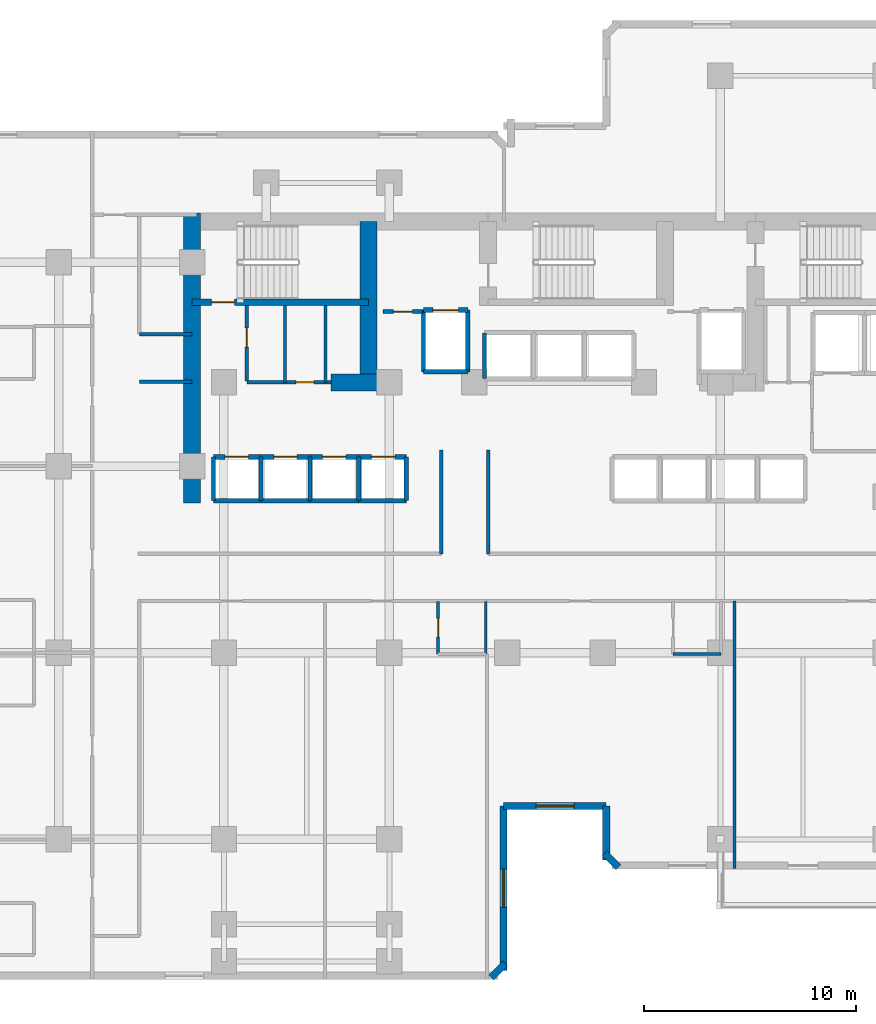
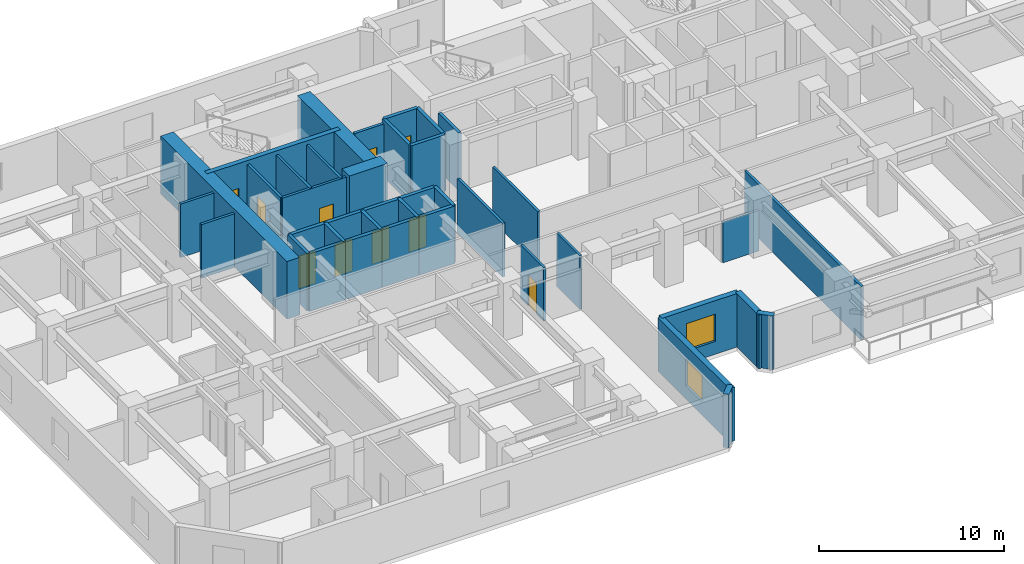
# One storey, part 6 of 11: 40 walls, 10 doors, 2 windows, 12 openings.
"""IFC4 building model written with IfcOpenShell, lengths in metres."""

import ifcopenshell
import ifcopenshell.guid

model = None  # the IFC model being written
_history = None  # IfcOwnerHistory: only IFC2X3 demands one
_inside = {}  # id of a spatial element -> (the spatial element, [elements in it])
_under = {}  # id of a project, library or spatial element -> (it, [spatial elements below it])
_declared = {}  # id of a project -> (the project, [libraries it declares])
_typed = {}  # id of a type object -> (the type object, [elements of that type])
_made_of = {}  # id of a material, layer set ... -> (it, [elements and type objects made of it])


def new_model(schema):
    """Start an empty IFC model of exactly this schema.

    Asked for "IFC4X3", IfcOpenShell would pick the latest addendum, in which some entities
    have other attributes; the version numbers below select the first issue.
    IFC2X3 requires an IfcOwnerHistory on every rooted entity: one is made here for all.
    """
    global model, _history
    if schema == "IFC4X3":
        model = ifcopenshell.file(schema_version=(4, 3, 0, 0))
    else:
        model = ifcopenshell.file(schema=schema)
    _inside.clear()
    _under.clear()
    _declared.clear()
    _typed.clear()
    _made_of.clear()
    _history = None
    if model.schema == "IFC2X3":
        org = make("IfcOrganization", Name="unknown")
        user = make(
            "IfcPersonAndOrganization",
            ThePerson=make("IfcPerson", FamilyName="unknown"),
            TheOrganization=org,
        )
        app = make(
            "IfcApplication",
            ApplicationDeveloper=org,
            Version="unknown",
            ApplicationFullName="unknown",
            ApplicationIdentifier="unknown",
        )
        _history = make(
            "IfcOwnerHistory",
            OwningUser=user,
            OwningApplication=app,
            ChangeAction="ADDED",
            CreationDate=0,
        )
    return model


def make(cls, **values):
    """One entity of the class cls with the attributes given. An attribute that is None is left unset."""
    return model.create_entity(
        cls, **{name: value for name, value in values.items() if value is not None}
    )


def rooted(cls, **values):
    """An entity with a GlobalId (a new one), such as an element, a storey or a relation."""
    return make(cls, GlobalId=ifcopenshell.guid.new(), OwnerHistory=_history, **values)


def si_unit(unit_type, name, prefix=None):
    """IfcSIUnit, for example si_unit("LENGTHUNIT", "METRE", prefix="MILLI")."""
    return make("IfcSIUnit", UnitType=unit_type, Prefix=prefix, Name=name)


def assignment(units):
    """IfcUnitAssignment: the units of a project."""
    return None if units is None else make("IfcUnitAssignment", Units=units)


def point(xyz):
    """IfcCartesianPoint."""
    return None if xyz is None else make("IfcCartesianPoint", Coordinates=xyz)


def direction(xyz):
    """IfcDirection."""
    return None if xyz is None else make("IfcDirection", DirectionRatios=xyz)


def frame(location, z_axis=None, x_axis=None):
    """IfcAxis2Placement3D, a coordinate frame: its origin and axes. An axis left out is left unset."""
    return make(
        "IfcAxis2Placement3D",
        Location=point(location),
        Axis=direction(z_axis),
        RefDirection=direction(x_axis),
    )


def frame_2d(location, x_axis=None):
    """IfcAxis2Placement2D, a coordinate frame in the plane: its origin and x axis."""
    return make(
        "IfcAxis2Placement2D", Location=point(location), RefDirection=direction(x_axis)
    )


def origin():
    """The frame at (0, 0, 0) with its axes left unset."""
    return frame((0.0, 0.0, 0.0))


def place(relative_to, where):
    """IfcLocalPlacement: puts the frame where relative to a parent placement (None: the world)."""
    return make(
        "IfcLocalPlacement", PlacementRelTo=relative_to, RelativePlacement=where
    )


def context(
    kind, dimensions, precision=None, world=None, true_north=None, identifier=None
):
    """IfcGeometricRepresentationContext, for example the 3D "Model" context."""
    return make(
        "IfcGeometricRepresentationContext",
        ContextIdentifier=identifier,
        ContextType=kind,
        CoordinateSpaceDimension=dimensions,
        Precision=precision,
        WorldCoordinateSystem=world,
        TrueNorth=true_north,
    )


def subcontext(parent, identifier, kind, view, scale=None):
    """IfcGeometricRepresentationSubContext, for example "Body" below "Model"."""
    return make(
        "IfcGeometricRepresentationSubContext",
        ContextIdentifier=identifier,
        ContextType=kind,
        ParentContext=parent,
        TargetScale=scale,
        TargetView=view,
    )


def project(units=None, contexts=None):
    """IfcProject with its units and contexts."""
    return rooted(
        "IfcProject",
        Name="project",
        RepresentationContexts=contexts,
        UnitsInContext=assignment(units),
    )


def spatial(cls, under=None, at=None, **own):
    """A site, building, storey or space (cls), placed at a placement, below another one or the project."""
    s = rooted(cls, ObjectPlacement=at, **own)
    if under is not None:
        _under.setdefault(under.id(), (under, []))[1].append(s)
    return s


def profile(cls, at=None, kind="AREA", **sizes):
    """A parametric profile (cls). Its sizes go by their IFC names, for example OverallWidth=200.0."""
    return make(cls, ProfileType=kind, Position=at, **sizes)


def rectangle(**sizes):
    """IfcRectangleProfileDef."""
    return profile("IfcRectangleProfileDef", **sizes)


def extrude(swept, where, along, depth):
    """IfcExtrudedAreaSolid: the profile swept, set in the frame where, extruded along a direction by depth."""
    return make(
        "IfcExtrudedAreaSolid",
        SweptArea=swept,
        Position=where,
        ExtrudedDirection=direction(along),
        Depth=depth,
    )


def shape(context_of_items, identifier, shape_type, items):
    """IfcShapeRepresentation: the items that make up one representation, for example the "Body"."""
    return make(
        "IfcShapeRepresentation",
        ContextOfItems=context_of_items,
        RepresentationIdentifier=identifier,
        RepresentationType=shape_type,
        Items=items,
    )


def material(Name=None, Category=None):
    """IfcMaterial."""
    return make("IfcMaterial", Name=Name, Category=Category)


def layer(
    of_material, thickness, ventilated=None, Name=None, Category=None, Priority=None
):
    """IfcMaterialLayer: one layer of a wall or slab, of a material (None: an air gap)."""
    return make(
        "IfcMaterialLayer",
        Material=of_material,
        LayerThickness=thickness,
        IsVentilated=ventilated,
        Name=Name,
        Category=Category,
        Priority=Priority,
    )


def layer_set(layers, Name=None):
    """IfcMaterialLayerSet."""
    return make("IfcMaterialLayerSet", MaterialLayers=layers, LayerSetName=Name)


def made_of(thing, what):
    """Note that an element or type object is made of a material, layer set ...; save() writes the relation."""
    if what is not None:
        _made_of.setdefault(what.id(), (what, []))[1].append(thing)
    return thing


def type_object(cls, material=None, **own):
    """A type object (cls), such as IfcWallType, which elements share."""
    return made_of(rooted(cls, **own), material)


def element(
    cls,
    number,
    at=None,
    inside=None,
    cuts=None,
    type_object=None,
    material=None,
    context=None,
    identifier="Body",
    shape_type=None,
    held_by="IfcProductDefinitionShape",
    body=None,
    shapes=None,
    **own,
):
    """One element of the class cls, such as IfcWall. Its Tag is "e" and its number.

    at: its placement. inside: the storey or other place that contains it. cuts: it is an
    opening in that element (IfcRelVoidsElement). A single representation is given by context,
    identifier, shape_type and body (its items); several are given by shapes. held_by: the class
    of the entity that holds the representations. save() writes the other relations.
    """
    e = rooted(cls, Tag="e%d" % number, ObjectPlacement=at, **own)
    if body is not None:
        shapes = [shape(context, identifier, shape_type, body)]
    if shapes is not None:
        e.Representation = make(held_by, Representations=shapes)
    if inside is not None:
        _inside.setdefault(inside.id(), (inside, []))[1].append(e)
    if cuts is not None:
        rooted(
            "IfcRelVoidsElement", RelatingBuildingElement=cuts, RelatedOpeningElement=e
        )
    if type_object is not None:
        _typed.setdefault(type_object.id(), (type_object, []))[1].append(e)
    return made_of(e, material)


def fill(opening, filler):
    """IfcRelFillsElement: the door or window that sits in an opening."""
    return rooted(
        "IfcRelFillsElement",
        RelatingOpeningElement=opening,
        RelatedBuildingElement=filler,
    )


def aggregate(whole, parts):
    """IfcRelAggregates: a whole, such as a stair, and the parts it consists of."""
    return rooted("IfcRelAggregates", RelatingObject=whole, RelatedObjects=parts)


def save(model, path):
    """Write the relations noted so far, then the file.

    IfcRelAggregates (storeys below a building ...), IfcRelContainedInSpatialStructure (elements
    in a storey), IfcRelDefinesByType, IfcRelAssociatesMaterial and IfcRelDeclares: one each for
    every whole, place, type object, material and project.
    """
    for whole, parts in _under.values():
        aggregate(whole, parts)
    for where, things in _inside.values():
        rooted(
            "IfcRelContainedInSpatialStructure",
            RelatedElements=things,
            RelatingStructure=where,
        )
    for kind, things in _typed.values():
        rooted("IfcRelDefinesByType", RelatedObjects=things, RelatingType=kind)
    for what, things in _made_of.values():
        rooted("IfcRelAssociatesMaterial", RelatedObjects=things, RelatingMaterial=what)
    for by, libraries in _declared.values():
        rooted("IfcRelDeclares", RelatingContext=by, RelatedDefinitions=libraries)
    model.write(path)


model = new_model("IFC4")

# Units and contexts
model_context = context("Model", 3, precision=1e-05, world=origin(), true_north=direction((0.0, 1.0)))
body_context = subcontext(model_context, "Body", "Model", "MODEL_VIEW")
ifc_project = project(units=[si_unit("LENGTHUNIT", "METRE"), si_unit("AREAUNIT", "SQUARE_METRE"), si_unit("VOLUMEUNIT", "CUBIC_METRE"), si_unit("PLANEANGLEUNIT", "RADIAN"), si_unit("MASSUNIT", "GRAM", prefix="KILO")], contexts=[model_context])

# Site, building, storey
site_placement = place(None, origin())
site = spatial("IfcSite", under=ifc_project, at=site_placement, CompositionType="ELEMENT")
building_placement = place(site_placement, origin())
building = spatial("IfcBuilding", under=site, at=building_placement, Name="Kestravale Grand Hotel", CompositionType="ELEMENT")
storey_placement = place(building_placement, frame((0.0, 0.0, 107.0)))
storey = spatial("IfcBuildingStorey", under=building, at=storey_placement, Name="L26", CompositionType="ELEMENT", Elevation=107.0)

# Walls
ifc_material_1 = material(Name="Concrete f'c 60 MPa", Category="concrete")
ifc_layer_1 = layer(ifc_material_1, 0.800048828125)
ifc_layer_set_1 = layer_set([ifc_layer_1], Name="EW-CORE-800")
wall_type_1 = type_object("IfcWallType", Name="EW-CORE-800", PredefinedType="SHEAR", material=ifc_layer_set_1)
wall_1_placement = place(storey_placement, frame((21.89990234375, 27.050048828125, 0.0), z_axis=(0.0, 0.0, 1.0), x_axis=(0.0, 1.0, 0.0)))
element("IfcWall", 1, at=wall_1_placement, inside=storey, type_object=wall_type_1, Name="L26 core shear wall W1", PredefinedType="SHEAR", context=body_context, shape_type="SweptSolid", body=[
    extrude(rectangle(XDim=13.669921875, YDim=0.800048828125, at=frame_2d((6.8349609375, 0.0))), origin(), (0.0, 0.0, 1.0), 3.800048828125),
])
wall_2_placement = place(storey_placement, frame((28.449951171875, 32.75, 0.0), z_axis=(0.0, 0.0, 1.0), x_axis=(1.0, 0.0, 0.0)))
element("IfcWall", 2, at=wall_2_placement, inside=storey, type_object=wall_type_1, Name="L26 core shear wall S1", PredefinedType="SHEAR", context=body_context, shape_type="SweptSolid", body=[
    extrude(rectangle(XDim=2.400146484375, YDim=0.800048828125, at=frame_2d((1.2001953125, 0.0))), origin(), (0.0, 0.0, 1.0), 3.800048828125),
])
wall_3_placement = place(storey_placement, frame((30.219970703125, 33.14990234375, 0.0), z_axis=(0.0, 0.0, 1.0), x_axis=(0.0, 1.0, 0.0)))
element("IfcWall", 3, at=wall_3_placement, inside=storey, type_object=wall_type_1, Name="L26 core shear wall X1", PredefinedType="SHEAR", context=body_context, shape_type="SweptSolid", body=[
    extrude(rectangle(XDim=7.170166015625, YDim=0.800048828125, at=frame_2d((3.5849609375, 0.0))), origin(), (0.0, 0.0, 1.0), 3.800048828125),
])
ifc_material_2 = material(Name="Precast concrete f'c 45 MPa", Category="concrete")
ifc_layer_2 = layer(ifc_material_2, 0.340087890625)
ifc_layer_set_2 = layer_set([ifc_layer_2], Name="EW-PREC-340")
wall_type_2 = type_object("IfcWallType", Name="EW-PREC-340", PredefinedType="SOLIDWALL", material=ifc_layer_set_2)
wall_4_placement = place(storey_placement, frame((36.00146484375, 4.69189453125, 0.0), z_axis=(0.0, 0.0, 1.0), x_axis=(0.707238225886, 0.706975312048, 0.0)))
element("IfcWall", 4, at=wall_4_placement, inside=storey, type_object=wall_type_2, Name="L26 fluted precast facade wall 2", PredefinedType="SOLIDWALL", context=body_context, shape_type="SweptSolid", body=[
    extrude(rectangle(XDim=0.9287109375, YDim=0.340087890625, at=frame_2d((0.46435546875, 0.0))), origin(), (0.0, 0.0, 1.0), 3.5400390625),
])

# Wall, opening, window
wall_5_placement = place(storey_placement, frame((36.580078125, 5.030029296875, 0.0), z_axis=(0.0, 0.0, 1.0), x_axis=(0.0, 1.0, 0.0)))
wall_5 = element("IfcWall", 5, at=wall_5_placement, inside=storey, type_object=wall_type_2, Name="L26 fluted precast facade wall 3", PredefinedType="SOLIDWALL", context=body_context, shape_type="SweptSolid", body=[
    extrude(rectangle(XDim=7.739990234375, YDim=0.340087890625, at=frame_2d((3.8701171875, 0.0))), origin(), (0.0, 0.0, 1.0), 3.5400390625),
])
opening_1_placement = place(wall_5_placement, frame((2.969970703125, 0.0, 0.85009765625)))
opening_1 = element("IfcOpeningElement", 6, at=opening_1_placement, cuts=wall_5, Name="Opening W-GUEST-1800", PredefinedType="OPENING", context=body_context, shape_type="SweptSolid", body=[
    extrude(rectangle(XDim=1.800048828125, YDim=1.800048828125, at=frame_2d((0.89990234375, 0.89990234375))), frame((0.0, 0.179931640625, 0.0), z_axis=(0.0, -1.0, 0.0), x_axis=(1.0, 0.0, 0.0)), (0.0, 0.0, 1.0), 0.360107421875),
])
ifc_material_3 = material(Name="Insulated low-E double glazing in aluminium frame", Category="aluminium")
window_type = type_object("IfcWindowType", Name="W-GUEST-1800", PartitioningType="DOUBLE_PANEL_VERTICAL", PredefinedType="WINDOW", material=ifc_material_3)
window_1_placement = place(opening_1_placement, origin())
window_1 = element("IfcWindow", 7, at=window_1_placement, inside=storey, type_object=window_type, Name="L26 exterior window 3.1", OverallHeight=1.800048828125, OverallWidth=1.800048828125, PartitioningType="SINGLE_PANEL", PredefinedType="WINDOW", context=body_context, shape_type="SweptSolid", body=[
    extrude(rectangle(XDim=1.800048828125, YDim=1.800048828125, at=frame_2d((0.89990234375, 0.89990234375))), frame((0.0, 0.030029296875, 0.0), z_axis=(0.0, -1.0, 0.0), x_axis=(1.0, 0.0, 0.0)), (0.0, 0.0, 1.0), 0.06005859375),
])
fill(opening_1, window_1)

wall_6_placement = place(storey_placement, frame((36.580078125, 12.77001953125, 0.0), z_axis=(0.0, 0.0, 1.0), x_axis=(1.0, 0.0, 0.0)))
wall_6 = element("IfcWall", 8, at=wall_6_placement, inside=storey, type_object=wall_type_2, Name="L26 fluted precast facade wall 4", PredefinedType="SOLIDWALL", context=body_context, shape_type="SweptSolid", body=[
    extrude(rectangle(XDim=4.83984375, YDim=0.340087890625, at=frame_2d((2.419921875, 0.0))), origin(), (0.0, 0.0, 1.0), 3.5400390625),
])
opening_2_placement = place(wall_6_placement, frame((1.52001953125, 0.0, 0.85009765625)))
opening_2 = element("IfcOpeningElement", 9, at=opening_2_placement, cuts=wall_6, Name="Opening W-GUEST-1800", PredefinedType="OPENING", context=body_context, shape_type="SweptSolid", body=[
    extrude(rectangle(XDim=1.800048828125, YDim=1.800048828125, at=frame_2d((0.89990234375, 0.89990234375))), frame((0.0, 0.179931640625, 0.0), z_axis=(0.0, -1.0, 0.0), x_axis=(1.0, 0.0, 0.0)), (0.0, 0.0, 1.0), 0.360107421875),
])
window_2_placement = place(opening_2_placement, origin())
window_2 = element("IfcWindow", 10, at=window_2_placement, inside=storey, type_object=window_type, Name="L26 exterior window 4.1", OverallHeight=1.800048828125, OverallWidth=1.800048828125, PartitioningType="SINGLE_PANEL", PredefinedType="WINDOW", context=body_context, shape_type="SweptSolid", body=[
    extrude(rectangle(XDim=1.800048828125, YDim=1.800048828125, at=frame_2d((0.89990234375, 0.89990234375))), frame((0.0, 0.030029296875, 0.0), z_axis=(0.0, -1.0, 0.0), x_axis=(1.0, 0.0, 0.0)), (0.0, 0.0, 1.0), 0.06005859375),
])
fill(opening_2, window_2)

# Walls
wall_7_placement = place(storey_placement, frame((41.419921875, 12.77001953125, 0.0), z_axis=(0.0, 0.0, 1.0), x_axis=(0.0, -1.0, 0.0)))
element("IfcWall", 11, at=wall_7_placement, inside=storey, type_object=wall_type_2, Name="L26 fluted precast facade wall 5", PredefinedType="SOLIDWALL", context=body_context, shape_type="SweptSolid", body=[
    extrude(rectangle(XDim=2.5400390625, YDim=0.340087890625, at=frame_2d((1.27001953125, 0.0))), origin(), (0.0, 0.0, 1.0), 3.5400390625),
])
wall_8_placement = place(storey_placement, frame((41.341796875, 10.548583984375, 0.0), z_axis=(0.0, 0.0, 1.0), x_axis=(0.707106781187, -0.707106781187, 0.0)))
element("IfcWall", 12, at=wall_8_placement, inside=storey, type_object=wall_type_2, Name="L26 fluted precast facade wall 6", PredefinedType="SOLIDWALL", context=body_context, shape_type="SweptSolid", body=[
    extrude(rectangle(XDim=0.9287109375, YDim=0.340087890625, at=frame_2d((0.46435546875, 0.0))), origin(), (0.0, 0.0, 1.0), 3.5400390625),
])

# Wall, opening, door
ifc_material_4 = material(Name="Concrete f'c 45 MPa", Category="concrete")
ifc_layer_3 = layer(ifc_material_4, 0.300048828125)
ifc_layer_set_3 = layer_set([ifc_layer_3], Name="EW-STAIR-300")
wall_type_3 = type_object("IfcWallType", Name="EW-STAIR-300", PredefinedType="SHEAR", material=ifc_layer_set_3)
wall_9_placement = place(storey_placement, frame((21.89990234375, 36.52001953125, 0.0), z_axis=(0.0, 0.0, 1.0), x_axis=(1.0, 0.0, 0.0)))
wall_9 = element("IfcWall", 13, at=wall_9_placement, inside=storey, type_object=wall_type_3, Name="L26 stair enclosure shear wall SST1", PredefinedType="SHEAR", context=body_context, shape_type="SweptSolid", body=[
    extrude(rectangle(XDim=8.320068359375, YDim=0.300048828125, at=frame_2d((4.16015625, 0.0))), origin(), (0.0, 0.0, 1.0), 3.800048828125),
])
opening_3_placement = place(wall_9_placement, frame((0.89990234375, 0.0, 0.0)))
opening_3 = element("IfcOpeningElement", 14, at=opening_3_placement, cuts=wall_9, Name="Opening D-ST-1100", PredefinedType="OPENING", context=body_context, shape_type="SweptSolid", body=[
    extrude(rectangle(XDim=1.10009765625, YDim=2.14990234375, at=frame_2d((0.550048828125, 1.074951171875))), frame((0.0, 0.159912109375, 0.0), z_axis=(0.0, -1.0, 0.0), x_axis=(1.0, 0.0, 0.0)), (0.0, 0.0, 1.0), 0.320068359375),
])
ifc_material_5 = material(Name="Galvanised 90-minute fire-rated steel stair door", Category="steel")
door_type_1 = type_object("IfcDoorType", Name="D-ST-1100", OperationType="NOTDEFINED", PredefinedType="DOOR", material=ifc_material_5)
door_1_placement = place(opening_3_placement, origin())
door_1 = element("IfcDoor", 15, at=door_1_placement, inside=storey, type_object=door_type_1, Name="L26 Stair ST-1 fire door", OperationType="SINGLE_SWING_RIGHT", OverallHeight=2.14990234375, OverallWidth=1.10009765625, PredefinedType="DOOR", context=body_context, shape_type="SweptSolid", body=[
    extrude(rectangle(XDim=1.10009765625, YDim=2.14990234375, at=frame_2d((0.550048828125, 1.074951171875))), frame((0.0, 0.02490234375, 0.0), z_axis=(0.0, -1.0, 0.0), x_axis=(1.0, 0.0, 0.0)), (0.0, 0.0, 1.0), 0.050048828125),
])
fill(opening_3, door_1)

ifc_material_6 = material(Name="Acoustic fire-rated gypsum board partition", Category="other")
ifc_layer_4 = layer(ifc_material_6, 0.159912109375)
ifc_layer_set_4 = layer_set([ifc_layer_4], Name="IW-CORR-160")
wall_type_4 = type_object("IfcWallType", Name="IW-CORR-160", PredefinedType="PARTITIONING", material=ifc_layer_set_4)
wall_10_placement = place(storey_placement, frame((24.47998046875, 32.800048828125, 0.0), z_axis=(0.0, 0.0, 1.0), x_axis=(0.0, 1.0, 0.0)))
wall_10 = element("IfcWall", 16, at=wall_10_placement, inside=storey, type_object=wall_type_4, Name="L26 west core vestibule wall", PredefinedType="PARTITIONING", context=body_context, shape_type="SweptSolid", body=[
    extrude(rectangle(XDim=3.570068359375, YDim=0.159912109375, at=frame_2d((1.78515625, 0.0))), origin(), (0.0, 0.0, 1.0), 3.5400390625),
])
opening_4_placement = place(wall_10_placement, frame((1.603515625, 0.0, 0.0)))
opening_4 = element("IfcOpeningElement", 17, at=opening_4_placement, cuts=wall_10, Name="Opening D-SH-900", PredefinedType="OPENING", context=body_context, shape_type="SweptSolid", body=[
    extrude(rectangle(XDim=0.89990234375, YDim=2.10009765625, at=frame_2d((0.449951171875, 1.050048828125))), frame((0.0, 0.08984375, 0.0), z_axis=(0.0, -1.0, 0.0), x_axis=(1.0, 0.0, 0.0)), (0.0, 0.0, 1.0), 0.179931640625),
])
ifc_material_7 = material(Name="Galvanised 90-minute shaft and service fire door", Category="steel")
door_type_2 = type_object("IfcDoorType", Name="D-SH-900", OperationType="NOTDEFINED", PredefinedType="DOOR", material=ifc_material_7)
door_2_placement = place(opening_4_placement, origin())
door_2 = element("IfcDoor", 18, at=door_2_placement, inside=storey, type_object=door_type_2, Name="D-L26-HK", OperationType="SINGLE_SWING_RIGHT", OverallHeight=2.10009765625, OverallWidth=0.89990234375, PredefinedType="DOOR", context=body_context, shape_type="SweptSolid", body=[
    extrude(rectangle(XDim=0.89990234375, YDim=2.10009765625, at=frame_2d((0.449951171875, 1.050048828125))), frame((0.0, 0.02490234375, 0.0), z_axis=(0.0, -1.0, 0.0), x_axis=(1.0, 0.0, 0.0)), (0.0, 0.0, 1.0), 0.050048828125),
])
fill(opening_4, door_2)

wall_11_placement = place(storey_placement, frame((24.47998046875, 32.75, 0.0), z_axis=(0.0, 0.0, 1.0), x_axis=(1.0, 0.0, 0.0)))
wall_11 = element("IfcWall", 19, at=wall_11_placement, inside=storey, type_object=wall_type_4, Name="W-L26-CWS", PredefinedType="PARTITIONING", context=body_context, shape_type="SweptSolid", body=[
    extrude(rectangle(XDim=3.969970703125, YDim=0.159912109375, at=frame_2d((1.98486328125, 0.0))), origin(), (0.0, 0.0, 1.0), 3.5400390625),
])
opening_5_placement = place(wall_11_placement, frame((2.31005859375, 0.0, 0.0)))
opening_5 = element("IfcOpeningElement", 20, at=opening_5_placement, cuts=wall_11, Name="Opening D-SH-860", PredefinedType="OPENING", context=body_context, shape_type="SweptSolid", body=[
    extrude(rectangle(XDim=0.860107421875, YDim=2.050048828125, at=frame_2d((0.43017578125, 1.02490234375))), frame((0.0, 0.08984375, 0.0), z_axis=(0.0, -1.0, 0.0), x_axis=(1.0, 0.0, 0.0)), (0.0, 0.0, 1.0), 0.179931640625),
])
ifc_material_8 = material(Name="Galvanised 90-minute riser fire door", Category="steel")
door_type_3 = type_object("IfcDoorType", Name="D-SH-860", OperationType="NOTDEFINED", PredefinedType="DOOR", material=ifc_material_8)
door_3_placement = place(opening_5_placement, origin())
door_3 = element("IfcDoor", 21, at=door_3_placement, inside=storey, type_object=door_type_3, Name="D-L26-IDF", OperationType="SINGLE_SWING_RIGHT", OverallHeight=2.050048828125, OverallWidth=0.860107421875, PredefinedType="DOOR", context=body_context, shape_type="SweptSolid", body=[
    extrude(rectangle(XDim=0.860107421875, YDim=2.050048828125, at=frame_2d((0.43017578125, 1.02490234375))), frame((0.0, 0.02490234375, 0.0), z_axis=(0.0, -1.0, 0.0), x_axis=(1.0, 0.0, 0.0)), (0.0, 0.0, 1.0), 0.050048828125),
])
fill(opening_5, door_3)

# Walls
for number, where, z_axis, x_axis, name in (
    (22, (33.64990234375, 24.659912109375, 0.0), (0.0, 0.0, 1.0), (0.0, 1.0, 0.0), "W-L26-TRUNK-W"),
    (23, (35.85009765625, 24.659912109375, 0.0), (0.0, 0.0, 1.0), (0.0, 1.0, 0.0), "W-L26-TRUNK-E"),
):
    element("IfcWall", number, at=place(storey_placement, frame(where, z_axis=z_axis, x_axis=x_axis)), inside=storey, type_object=wall_type_4, Name=name, PredefinedType="PARTITIONING", context=body_context, shape_type="SweptSolid", body=[
        extrude(rectangle(XDim=4.89013671875, YDim=0.159912109375, at=frame_2d((2.445068359375, 0.0))), origin(), (0.0, 0.0, 1.0), 3.5400390625),
    ])
for number, where, z_axis, x_axis, name in (
    (24, (19.409912109375, 35.02001953125, 0.0), (0.0, 0.0, 1.0), (1.0, 0.0, 0.0), "W-L26-SW-CN"),
    (25, (19.409912109375, 32.780029296875, 0.0), (0.0, 0.0, 1.0), (1.0, 0.0, 0.0), "W-L26-SW-CS"),
):
    element("IfcWall", number, at=place(storey_placement, frame(where, z_axis=z_axis, x_axis=x_axis)), inside=storey, type_object=wall_type_4, Name=name, PredefinedType="PARTITIONING", context=body_context, shape_type="SweptSolid", body=[
        extrude(rectangle(XDim=2.489990234375, YDim=0.159912109375, at=frame_2d((1.2451171875, 0.0))), origin(), (0.0, 0.0, 1.0), 3.5400390625),
    ])

# Wall, opening, door
ifc_material_9 = material(Name="Fire-rated gypsum board on steel studs with mineral wool", Category="steel")
ifc_layer_5 = layer(ifc_material_9, 0.179931640625)
ifc_layer_set_5 = layer_set([ifc_layer_5], Name="IW-FSAE-180")
wall_type_5 = type_object("IfcWallType", Name="IW-FSAE-180", PredefinedType="PARTITIONING", material=ifc_layer_set_5)
wall_12_placement = place(storey_placement, frame((30.89990234375, 36.080078125, 0.0), z_axis=(0.0, 0.0, 1.0), x_axis=(1.0, 0.0, 0.0)))
wall_12 = element("IfcWall", 26, at=wall_12_placement, inside=storey, type_object=wall_type_5, Name="L26 FSAE Lobby 1 smoke barrier", PredefinedType="PARTITIONING", context=body_context, shape_type="SweptSolid", body=[
    extrude(rectangle(XDim=1.85009765625, YDim=0.179931640625, at=frame_2d((0.925048828125, 0.0))), origin(), (0.0, 0.0, 1.0), 3.5400390625),
])
opening_6_placement = place(wall_12_placement, frame((0.47998046875, 0.0, 0.0)))
opening_6 = element("IfcOpeningElement", 27, at=opening_6_placement, cuts=wall_12, Name="Opening D-FSAE-1000", PredefinedType="OPENING", context=body_context, shape_type="SweptSolid", body=[
    extrude(rectangle(XDim=0.89990234375, YDim=2.14990234375, at=frame_2d((0.449951171875, 1.074951171875))), frame((0.0, 0.099853515625, 0.0), z_axis=(0.0, -1.0, 0.0), x_axis=(1.0, 0.0, 0.0)), (0.0, 0.0, 1.0), 0.199951171875),
])
ifc_material_10 = material(Name="Smoke-gasketed FSAE lobby fire door", Category="steel")
door_type_4 = type_object("IfcDoorType", Name="D-FSAE-1000", OperationType="NOTDEFINED", PredefinedType="DOOR", material=ifc_material_10)
door_4_placement = place(opening_6_placement, origin())
door_4 = element("IfcDoor", 28, at=door_4_placement, inside=storey, type_object=door_type_4, Name="L26 FSAE Lobby 1 fire door", OperationType="SINGLE_SWING_RIGHT", OverallHeight=2.14990234375, OverallWidth=0.89990234375, PredefinedType="DOOR", context=body_context, shape_type="SweptSolid", body=[
    extrude(rectangle(XDim=0.89990234375, YDim=2.14990234375, at=frame_2d((0.449951171875, 1.074951171875))), frame((0.0, 0.02490234375, 0.0), z_axis=(0.0, -1.0, 0.0), x_axis=(1.0, 0.0, 0.0)), (0.0, 0.0, 1.0), 0.050048828125),
])
fill(opening_6, door_4)

ifc_material_11 = material(Name="Moisture-resistant tile-backer plumbing chase wall", Category="other")
ifc_layer_6 = layer(ifc_material_11, 0.139892578125)
ifc_layer_set_6 = layer_set([ifc_layer_6], Name="IW-PLB-140")
wall_type_6 = type_object("IfcWallType", Name="IW-PLB-140", PredefinedType="PLUMBINGWALL", material=ifc_layer_set_6)
wall_13_placement = place(storey_placement, frame((33.489990234375, 19.929931640625, 0.0), z_axis=(0.0, 0.0, 1.0), x_axis=(0.0, 1.0, 0.0)))
wall_13 = element("IfcWall", 29, at=wall_13_placement, inside=storey, type_object=wall_type_6, Name="W-L26-U01-BW", PredefinedType="PLUMBINGWALL", context=body_context, shape_type="SweptSolid", body=[
    extrude(rectangle(XDim=2.489990234375, YDim=0.139892578125, at=frame_2d((1.2451171875, 0.0))), origin(), (0.0, 0.0, 1.0), 3.5400390625),
])
opening_7_placement = place(wall_13_placement, frame((0.804931640625, 0.0, 0.0)))
opening_7 = element("IfcOpeningElement", 30, at=opening_7_placement, cuts=wall_13, Name="Opening D-BATH-880", PredefinedType="OPENING", context=body_context, shape_type="SweptSolid", body=[
    extrude(rectangle(XDim=0.8798828125, YDim=2.050048828125, at=frame_2d((0.43994140625, 1.02490234375))), frame((0.0, 0.079833984375, 0.0), z_axis=(0.0, -1.0, 0.0), x_axis=(1.0, 0.0, 0.0)), (0.0, 0.0, 1.0), 0.159912109375),
])
ifc_material_12 = material(Name="Moisture-sealed walnut en-suite bathroom door", Category="wood")
door_type_5 = type_object("IfcDoorType", Name="D-BATH-880", OperationType="NOTDEFINED", PredefinedType="DOOR", material=ifc_material_12)
door_5_placement = place(opening_7_placement, origin())
door_5 = element("IfcDoor", 31, at=door_5_placement, inside=storey, type_object=door_type_5, Name="D-L26-U01-BATH", OperationType="SINGLE_SWING_RIGHT", OverallHeight=2.050048828125, OverallWidth=0.8798828125, PredefinedType="DOOR", context=body_context, shape_type="SweptSolid", body=[
    extrude(rectangle(XDim=0.8798828125, YDim=2.050048828125, at=frame_2d((0.43994140625, 1.02490234375))), frame((0.0, 0.02490234375, 0.0), z_axis=(0.0, -1.0, 0.0), x_axis=(1.0, 0.0, 0.0)), (0.0, 0.0, 1.0), 0.050048828125),
])
fill(opening_7, door_5)

# Walls
wall_14_placement = place(storey_placement, frame((35.739990234375, 19.929931640625, 0.0), z_axis=(0.0, 0.0, 1.0), x_axis=(0.0, 1.0, 0.0)))
element("IfcWall", 32, at=wall_14_placement, inside=storey, type_object=wall_type_6, Name="W-L26-U01-BE", PredefinedType="PLUMBINGWALL", context=body_context, shape_type="SweptSolid", body=[
    extrude(rectangle(XDim=2.489990234375, YDim=0.139892578125, at=frame_2d((1.2451171875, 0.0))), origin(), (0.0, 0.0, 1.0), 3.5400390625),
])
wall_15_placement = place(storey_placement, frame((44.570068359375, 19.929931640625, 0.0), z_axis=(0.0, 0.0, 1.0), x_axis=(1.0, 0.0, 0.0)))
element("IfcWall", 33, at=wall_15_placement, inside=storey, type_object=wall_type_6, Name="W-L26-U02-BS", PredefinedType="PLUMBINGWALL", context=body_context, shape_type="SweptSolid", body=[
    extrude(rectangle(XDim=2.25, YDim=0.139892578125, at=frame_2d((1.125, 0.0))), origin(), (0.0, 0.0, 1.0), 2.678955078125),
])
ifc_material_13 = material(Name="Concrete f'c 45 MPa", Category="concrete")
ifc_layer_7 = layer(ifc_material_13, 0.199951171875)
ifc_layer_set_7 = layer_set([ifc_layer_7], Name="IW-SHAFT-200")
wall_type_7 = type_object("IfcWallType", Name="IW-SHAFT-200", PredefinedType="SHEAR", material=ifc_layer_set_7)
for number, where, z_axis, x_axis, name in (
    (34, (22.905029296875, 27.169921875, 0.0), (0.0, 0.0, 1.0), (0.0, 1.0, 0.0), "L26 PL-L1 west shaft wall"),
    (35, (25.14990234375, 27.169921875, 0.0), (0.0, 0.0, 1.0), (0.0, 1.0, 0.0), "L26 PL-L2 west shaft wall"),
    (36, (27.449951171875, 27.169921875, 0.0), (0.0, 0.0, 1.0), (0.0, 1.0, 0.0), "L26 PL-L3 west shaft wall"),
    (37, (29.75, 27.169921875, 0.0), (0.0, 0.0, 1.0), (0.0, 1.0, 0.0), "L26 PL-L4 west shaft wall"),
    (38, (31.9951171875, 27.169921875, 0.0), (0.0, 0.0, 1.0), (0.0, 1.0, 0.0), "L26 PL-L4 east shaft wall"),
):
    element("IfcWall", number, at=place(storey_placement, frame(where, z_axis=z_axis, x_axis=x_axis)), inside=storey, type_object=wall_type_7, Name=name, PredefinedType="SHEAR", context=body_context, shape_type="SweptSolid", body=[
        extrude(rectangle(XDim=2.06005859375, YDim=0.199951171875, at=frame_2d((1.030029296875, 0.0))), origin(), (0.0, 0.0, 1.0), 3.800048828125),
    ])
wall_16_placement = place(storey_placement, frame((35.679931640625, 32.919921875, 0.0), z_axis=(0.0, 0.0, 1.0), x_axis=(0.0, 1.0, 0.0)))
element("IfcWall", 39, at=wall_16_placement, inside=storey, type_object=wall_type_7, Name="L26 PL-X1 west shaft wall", PredefinedType="SHEAR", context=body_context, shape_type="SweptSolid", body=[
    extrude(rectangle(XDim=2.16015625, YDim=0.199951171875, at=frame_2d((1.080078125, 0.0))), origin(), (0.0, 0.0, 1.0), 3.800048828125),
])
for number, where, z_axis, x_axis, name in (
    (40, (32.804931640625, 33.2451171875, 0.0), (0.0, 0.0, 1.0), (0.0, 1.0, 0.0), "L26 FL-1 west shaft wall"),
    (41, (34.89501953125, 33.2451171875, 0.0), (0.0, 0.0, 1.0), (0.0, 1.0, 0.0), "L26 FL-1 east shaft wall"),
):
    element("IfcWall", number, at=place(storey_placement, frame(where, z_axis=z_axis, x_axis=x_axis)), inside=storey, type_object=wall_type_7, Name=name, PredefinedType="SHEAR", context=body_context, shape_type="SweptSolid", body=[
        extrude(rectangle(XDim=2.909912109375, YDim=0.199951171875, at=frame_2d((1.455078125, 0.0))), origin(), (0.0, 0.0, 1.0), 3.800048828125),
    ])

# Wall, opening, door
ifc_material_14 = material(Name="Concrete f'c 45 MPa", Category="concrete")
ifc_layer_8 = layer(ifc_material_14, 0.219970703125)
ifc_layer_set_8 = layer_set([ifc_layer_8], Name="IW-SHAFT-220")
wall_type_8 = type_object("IfcWallType", Name="IW-SHAFT-220", PredefinedType="SHEAR", material=ifc_layer_set_8)
wall_17_placement = place(storey_placement, frame((22.905029296875, 29.22998046875, 0.0), z_axis=(0.0, 0.0, 1.0), x_axis=(1.0, 0.0, 0.0)))
wall_17 = element("IfcWall", 42, at=wall_17_placement, inside=storey, type_object=wall_type_8, Name="L26 PL-L1 north shaft wall", PredefinedType="SHEAR", context=body_context, shape_type="SweptSolid", body=[
    extrude(rectangle(XDim=2.244873046875, YDim=0.219970703125, at=frame_2d((1.12255859375, 0.0))), origin(), (0.0, 0.0, 1.0), 3.800048828125),
])
opening_8_placement = place(wall_17_placement, frame((0.544921875, 0.0, 0.0)))
opening_8 = element("IfcOpeningElement", 43, at=opening_8_placement, cuts=wall_17, Name="Opening LD-PAX-1100", PredefinedType="OPENING", context=body_context, shape_type="SweptSolid", body=[
    extrude(rectangle(XDim=1.10009765625, YDim=2.14990234375, at=frame_2d((0.550048828125, 1.074951171875))), frame((0.0, 0.119873046875, 0.0), z_axis=(0.0, -1.0, 0.0), x_axis=(1.0, 0.0, 0.0)), (0.0, 0.0, 1.0), 0.239990234375),
])
ifc_material_15 = material(Name="Champagne-bronze center-opening sliding elevator landing door", Category="steel")
door_type_6 = type_object("IfcDoorType", Name="LD-PAX-1100", OperationType="NOTDEFINED", PredefinedType="DOOR", material=ifc_material_15)
door_6_placement = place(opening_8_placement, origin())
door_6 = element("IfcDoor", 44, at=door_6_placement, inside=storey, type_object=door_type_6, Name="L26 PL-L1 elevator landing sliding door", OperationType="DOUBLE_DOOR_SLIDING", OverallHeight=2.14990234375, OverallWidth=1.10009765625, PredefinedType="DOOR", context=body_context, shape_type="SweptSolid", body=[
    extrude(rectangle(XDim=1.10009765625, YDim=2.14990234375, at=frame_2d((0.550048828125, 1.074951171875))), frame((0.0, 0.02490234375, 0.0), z_axis=(0.0, -1.0, 0.0), x_axis=(1.0, 0.0, 0.0)), (0.0, 0.0, 1.0), 0.050048828125),
])
fill(opening_8, door_6)

# Wall
wall_18_placement = place(storey_placement, frame((22.905029296875, 27.169921875, 0.0), z_axis=(0.0, 0.0, 1.0), x_axis=(1.0, 0.0, 0.0)))
element("IfcWall", 45, at=wall_18_placement, inside=storey, type_object=wall_type_8, Name="L26 PL-L1 south shaft wall", PredefinedType="SHEAR", context=body_context, shape_type="SweptSolid", body=[
    extrude(rectangle(XDim=2.244873046875, YDim=0.219970703125, at=frame_2d((1.12255859375, 0.0))), origin(), (0.0, 0.0, 1.0), 3.800048828125),
])

# Wall, opening, door
wall_19_placement = place(storey_placement, frame((25.14990234375, 29.22998046875, 0.0), z_axis=(0.0, 0.0, 1.0), x_axis=(1.0, 0.0, 0.0)))
wall_19 = element("IfcWall", 46, at=wall_19_placement, inside=storey, type_object=wall_type_8, Name="L26 PL-L2 north shaft wall", PredefinedType="SHEAR", context=body_context, shape_type="SweptSolid", body=[
    extrude(rectangle(XDim=2.300048828125, YDim=0.219970703125, at=frame_2d((1.14990234375, 0.0))), origin(), (0.0, 0.0, 1.0), 3.800048828125),
])
opening_9_placement = place(wall_19_placement, frame((0.60009765625, 0.0, 0.0)))
opening_9 = element("IfcOpeningElement", 47, at=opening_9_placement, cuts=wall_19, Name="Opening LD-PAX-1100", PredefinedType="OPENING", context=body_context, shape_type="SweptSolid", body=[
    extrude(rectangle(XDim=1.10009765625, YDim=2.14990234375, at=frame_2d((0.550048828125, 1.074951171875))), frame((0.0, 0.119873046875, 0.0), z_axis=(0.0, -1.0, 0.0), x_axis=(1.0, 0.0, 0.0)), (0.0, 0.0, 1.0), 0.239990234375),
])
door_7_placement = place(opening_9_placement, origin())
door_7 = element("IfcDoor", 48, at=door_7_placement, inside=storey, type_object=door_type_6, Name="L26 PL-L2 elevator landing sliding door", OperationType="DOUBLE_DOOR_SLIDING", OverallHeight=2.14990234375, OverallWidth=1.10009765625, PredefinedType="DOOR", context=body_context, shape_type="SweptSolid", body=[
    extrude(rectangle(XDim=1.10009765625, YDim=2.14990234375, at=frame_2d((0.550048828125, 1.074951171875))), frame((0.0, 0.02490234375, 0.0), z_axis=(0.0, -1.0, 0.0), x_axis=(1.0, 0.0, 0.0)), (0.0, 0.0, 1.0), 0.050048828125),
])
fill(opening_9, door_7)

# Wall
wall_20_placement = place(storey_placement, frame((25.14990234375, 27.169921875, 0.0), z_axis=(0.0, 0.0, 1.0), x_axis=(1.0, 0.0, 0.0)))
element("IfcWall", 49, at=wall_20_placement, inside=storey, type_object=wall_type_8, Name="L26 PL-L2 south shaft wall", PredefinedType="SHEAR", context=body_context, shape_type="SweptSolid", body=[
    extrude(rectangle(XDim=2.300048828125, YDim=0.219970703125, at=frame_2d((1.14990234375, 0.0))), origin(), (0.0, 0.0, 1.0), 3.800048828125),
])

# Wall, opening, door
wall_21_placement = place(storey_placement, frame((27.449951171875, 29.22998046875, 0.0), z_axis=(0.0, 0.0, 1.0), x_axis=(1.0, 0.0, 0.0)))
wall_21 = element("IfcWall", 50, at=wall_21_placement, inside=storey, type_object=wall_type_8, Name="L26 PL-L3 north shaft wall", PredefinedType="SHEAR", context=body_context, shape_type="SweptSolid", body=[
    extrude(rectangle(XDim=2.300048828125, YDim=0.219970703125, at=frame_2d((1.14990234375, 0.0))), origin(), (0.0, 0.0, 1.0), 3.800048828125),
])
opening_10_placement = place(wall_21_placement, frame((0.60009765625, 0.0, 0.0)))
opening_10 = element("IfcOpeningElement", 51, at=opening_10_placement, cuts=wall_21, Name="Opening LD-PAX-1100", PredefinedType="OPENING", context=body_context, shape_type="SweptSolid", body=[
    extrude(rectangle(XDim=1.10009765625, YDim=2.14990234375, at=frame_2d((0.550048828125, 1.074951171875))), frame((0.0, 0.119873046875, 0.0), z_axis=(0.0, -1.0, 0.0), x_axis=(1.0, 0.0, 0.0)), (0.0, 0.0, 1.0), 0.239990234375),
])
door_8_placement = place(opening_10_placement, origin())
door_8 = element("IfcDoor", 52, at=door_8_placement, inside=storey, type_object=door_type_6, Name="L26 PL-L3 elevator landing sliding door", OperationType="DOUBLE_DOOR_SLIDING", OverallHeight=2.14990234375, OverallWidth=1.10009765625, PredefinedType="DOOR", context=body_context, shape_type="SweptSolid", body=[
    extrude(rectangle(XDim=1.10009765625, YDim=2.14990234375, at=frame_2d((0.550048828125, 1.074951171875))), frame((0.0, 0.02490234375, 0.0), z_axis=(0.0, -1.0, 0.0), x_axis=(1.0, 0.0, 0.0)), (0.0, 0.0, 1.0), 0.050048828125),
])
fill(opening_10, door_8)

# Wall
wall_22_placement = place(storey_placement, frame((27.449951171875, 27.169921875, 0.0), z_axis=(0.0, 0.0, 1.0), x_axis=(1.0, 0.0, 0.0)))
element("IfcWall", 53, at=wall_22_placement, inside=storey, type_object=wall_type_8, Name="L26 PL-L3 south shaft wall", PredefinedType="SHEAR", context=body_context, shape_type="SweptSolid", body=[
    extrude(rectangle(XDim=2.300048828125, YDim=0.219970703125, at=frame_2d((1.14990234375, 0.0))), origin(), (0.0, 0.0, 1.0), 3.800048828125),
])

# Wall, opening, door
wall_23_placement = place(storey_placement, frame((29.75, 29.22998046875, 0.0), z_axis=(0.0, 0.0, 1.0), x_axis=(1.0, 0.0, 0.0)))
wall_23 = element("IfcWall", 54, at=wall_23_placement, inside=storey, type_object=wall_type_8, Name="L26 PL-L4 north shaft wall", PredefinedType="SHEAR", context=body_context, shape_type="SweptSolid", body=[
    extrude(rectangle(XDim=2.2451171875, YDim=0.219970703125, at=frame_2d((1.12255859375, 0.0))), origin(), (0.0, 0.0, 1.0), 3.800048828125),
])
opening_11_placement = place(wall_23_placement, frame((0.60009765625, 0.0, 0.0)))
opening_11 = element("IfcOpeningElement", 55, at=opening_11_placement, cuts=wall_23, Name="Opening LD-PAX-1100", PredefinedType="OPENING", context=body_context, shape_type="SweptSolid", body=[
    extrude(rectangle(XDim=1.10009765625, YDim=2.14990234375, at=frame_2d((0.550048828125, 1.074951171875))), frame((0.0, 0.119873046875, 0.0), z_axis=(0.0, -1.0, 0.0), x_axis=(1.0, 0.0, 0.0)), (0.0, 0.0, 1.0), 0.239990234375),
])
door_9_placement = place(opening_11_placement, origin())
door_9 = element("IfcDoor", 56, at=door_9_placement, inside=storey, type_object=door_type_6, Name="L26 PL-L4 elevator landing sliding door", OperationType="DOUBLE_DOOR_SLIDING", OverallHeight=2.14990234375, OverallWidth=1.10009765625, PredefinedType="DOOR", context=body_context, shape_type="SweptSolid", body=[
    extrude(rectangle(XDim=1.10009765625, YDim=2.14990234375, at=frame_2d((0.550048828125, 1.074951171875))), frame((0.0, 0.02490234375, 0.0), z_axis=(0.0, -1.0, 0.0), x_axis=(1.0, 0.0, 0.0)), (0.0, 0.0, 1.0), 0.050048828125),
])
fill(opening_11, door_9)

# Wall
wall_24_placement = place(storey_placement, frame((29.75, 27.169921875, 0.0), z_axis=(0.0, 0.0, 1.0), x_axis=(1.0, 0.0, 0.0)))
element("IfcWall", 57, at=wall_24_placement, inside=storey, type_object=wall_type_8, Name="L26 PL-L4 south shaft wall", PredefinedType="SHEAR", context=body_context, shape_type="SweptSolid", body=[
    extrude(rectangle(XDim=2.2451171875, YDim=0.219970703125, at=frame_2d((1.12255859375, 0.0))), origin(), (0.0, 0.0, 1.0), 3.800048828125),
])

# Wall, opening, door
wall_25_placement = place(storey_placement, frame((32.804931640625, 36.155029296875, 0.0), z_axis=(0.0, 0.0, 1.0), x_axis=(1.0, 0.0, 0.0)))
wall_25 = element("IfcWall", 58, at=wall_25_placement, inside=storey, type_object=wall_type_8, Name="L26 FL-1 north shaft wall", PredefinedType="SHEAR", context=body_context, shape_type="SweptSolid", body=[
    extrude(rectangle(XDim=2.090087890625, YDim=0.219970703125, at=frame_2d((1.044921875, 0.0))), origin(), (0.0, 0.0, 1.0), 3.800048828125),
])
opening_12_placement = place(wall_25_placement, frame((0.445068359375, 0.0, 0.0)))
opening_12 = element("IfcOpeningElement", 59, at=opening_12_placement, cuts=wall_25, Name="Opening LD-FSAE-1200", PredefinedType="OPENING", context=body_context, shape_type="SweptSolid", body=[
    extrude(rectangle(XDim=1.199951171875, YDim=2.14990234375, at=frame_2d((0.60009765625, 1.074951171875))), frame((0.0, 0.119873046875, 0.0), z_axis=(0.0, -1.0, 0.0), x_axis=(1.0, 0.0, 0.0)), (0.0, 0.0, 1.0), 0.239990234375),
])
ifc_material_16 = material(Name="Stainless fire-service sliding elevator landing door", Category="steel")
door_type_7 = type_object("IfcDoorType", Name="LD-FSAE-1200", OperationType="NOTDEFINED", PredefinedType="DOOR", material=ifc_material_16)
door_10_placement = place(opening_12_placement, origin())
door_10 = element("IfcDoor", 60, at=door_10_placement, inside=storey, type_object=door_type_7, Name="L26 FL-1 elevator landing sliding door", OperationType="DOUBLE_DOOR_SLIDING", OverallHeight=2.14990234375, OverallWidth=1.199951171875, PredefinedType="DOOR", context=body_context, shape_type="SweptSolid", body=[
    extrude(rectangle(XDim=1.199951171875, YDim=2.14990234375, at=frame_2d((0.60009765625, 1.074951171875))), frame((0.0, 0.02490234375, 0.0), z_axis=(0.0, -1.0, 0.0), x_axis=(1.0, 0.0, 0.0)), (0.0, 0.0, 1.0), 0.050048828125),
])
fill(opening_12, door_10)

# Walls
wall_26_placement = place(storey_placement, frame((32.804931640625, 33.2451171875, 0.0), z_axis=(0.0, 0.0, 1.0), x_axis=(1.0, 0.0, 0.0)))
element("IfcWall", 61, at=wall_26_placement, inside=storey, type_object=wall_type_8, Name="L26 FL-1 south shaft wall", PredefinedType="SHEAR", context=body_context, shape_type="SweptSolid", body=[
    extrude(rectangle(XDim=2.090087890625, YDim=0.219970703125, at=frame_2d((1.044921875, 0.0))), origin(), (0.0, 0.0, 1.0), 3.800048828125),
])
ifc_material_17 = material(Name="Double-stud STC 52 acoustic demising partition", Category="other")
ifc_layer_9 = layer(ifc_material_17, 0.14990234375)
ifc_layer_set_9 = layer_set([ifc_layer_9], Name="IW-UNIT-150")
wall_type_9 = type_object("IfcWallType", Name="IW-UNIT-150", PredefinedType="PARTITIONING", material=ifc_layer_set_9)
for number, where, z_axis, x_axis, name in (
    (62, (26.280029296875, 32.75, 0.0), (0.0, 0.0, 1.0), (0.0, 1.0, 0.0), "W-L26-CC1-1"),
    (63, (28.179931640625, 32.75, 0.0), (0.0, 0.0, 1.0), (0.0, 1.0, 0.0), "W-L26-CC1-2"),
):
    element("IfcWall", number, at=place(storey_placement, frame(where, z_axis=z_axis, x_axis=x_axis)), inside=storey, type_object=wall_type_9, Name=name, PredefinedType="PARTITIONING", context=body_context, shape_type="SweptSolid", body=[
        extrude(rectangle(XDim=3.6201171875, YDim=0.14990234375, at=frame_2d((1.81005859375, 0.0))), origin(), (0.0, 0.0, 1.0), 3.5400390625),
    ])
wall_27_placement = place(storey_placement, frame((47.469970703125, 9.820068359375, 0.0), z_axis=(0.0, 0.0, 1.0), x_axis=(0.0, 1.0, 0.0)))
element("IfcWall", 64, at=wall_27_placement, inside=storey, type_object=wall_type_9, Name="W-L26-ES-1", PredefinedType="PARTITIONING", context=body_context, shape_type="SweptSolid", body=[
    extrude(rectangle(XDim=12.619873046875, YDim=0.14990234375, at=frame_2d((6.31005859375, 0.0))), origin(), (0.0, 0.0, 1.0), 3.5400390625),
])

save(model, "model.ifc")
